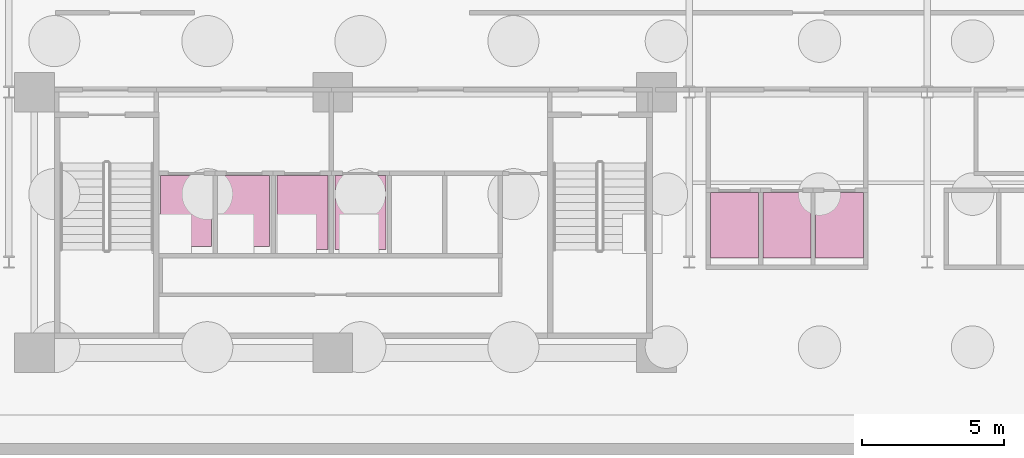
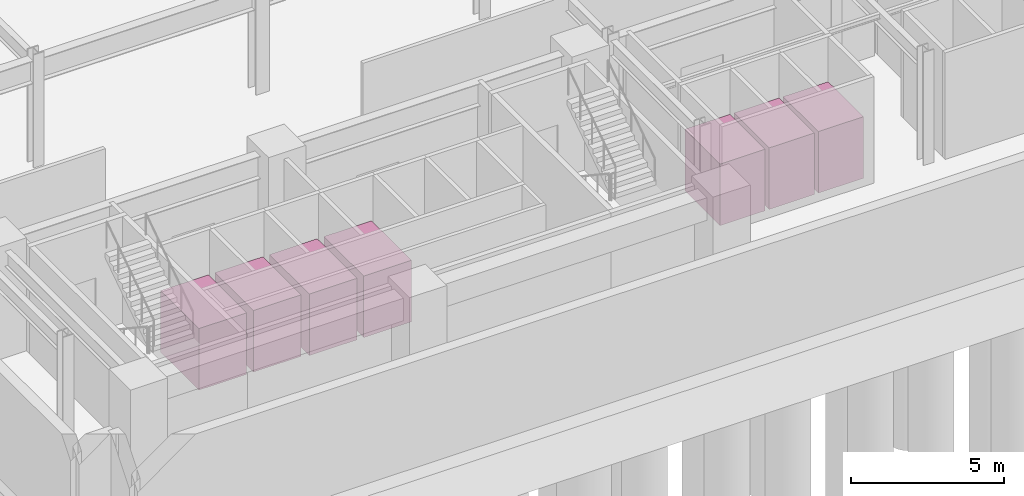
# One storey, part 14 of 14: 7 transport elements.
"""IFC4 building model written with IfcOpenShell, lengths in metres."""

from ifc_helpers import new_model, si_unit, direction, frame, origin, origin_2d, place, context, subcontext, project, spatial, rectangle, extrude, material, type_object, element, save


model = new_model("IFC4")

# Units and contexts
model_context = context("Model", 3, precision=1e-05, world=origin(), true_north=direction((0.0, 1.0)))
body_context = subcontext(model_context, "Body", "Model", "MODEL_VIEW")
ifc_project = project(units=[si_unit("LENGTHUNIT", "METRE"), si_unit("AREAUNIT", "SQUARE_METRE"), si_unit("VOLUMEUNIT", "CUBIC_METRE"), si_unit("PLANEANGLEUNIT", "RADIAN"), si_unit("MASSUNIT", "GRAM", prefix="KILO")], contexts=[model_context])

# Site, building, storey
site_placement = place(None, origin())
site = spatial("IfcSite", under=ifc_project, at=site_placement, CompositionType="ELEMENT")
building_placement = place(site_placement, origin())
building = spatial("IfcBuilding", under=site, at=building_placement, Name="Varnakote Quay Hospital", CompositionType="ELEMENT")
storey_placement = place(building_placement, frame((0.0, 0.0, -9.0)))
storey = spatial("IfcBuildingStorey", under=building, at=storey_placement, Name="B02", CompositionType="ELEMENT", Elevation=-9.0)

# Transport elements
ifc_material_1 = material(Name="Brushed stainless steel lift car", Category="steel")
transport_element_type_1 = type_object("IfcTransportElementType", Name="LFT-FF-1800x2500", PredefinedType="ELEVATOR", material=ifc_material_1)
for number, where, z_axis, x_axis, name in (
    (1, (7.449951171875, 7.800048828125, 0.0), (0.0, 0.0, 1.0), (1.0, 0.0, 0.0), "Firefighting Bank LF-FF1 Elevator Car"),
    (2, (9.5, 7.800048828125, 0.0), (0.0, 0.0, 1.0), (1.0, 0.0, 0.0), "Firefighting Bank LF-FF2 Elevator Car"),
):
    element("IfcTransportElement", number, at=place(storey_placement, frame(where, z_axis=z_axis, x_axis=x_axis)), inside=storey, type_object=transport_element_type_1, Name=name, PredefinedType="ELEVATOR", context=body_context, shape_type="SweptSolid", body=[
        extrude(rectangle(XDim=1.800048828125, YDim=2.5, at=origin_2d()), origin(), (0.0, 0.0, 1.0), 2.449951171875),
    ])
ifc_material_2 = material(Name="Brushed stainless steel lift car", Category="steel")
transport_element_type_2 = type_object("IfcTransportElementType", Name="LFT-PS-1700x2300", PredefinedType="ELEVATOR", material=ifc_material_2)
for number, where, z_axis, x_axis, name in (
    (3, (26.800048828125, 7.300048828125, 0.0), (0.0, 0.0, 1.0), (1.0, 0.0, 0.0), "Low-Rise Passenger Bank LF-PL1 Elevator Car"),
    (4, (28.64990234375, 7.300048828125, 0.0), (0.0, 0.0, 1.0), (1.0, 0.0, 0.0), "Low-Rise Passenger Bank LF-PL2 Elevator Car"),
    (5, (30.5, 7.300048828125, 0.0), (0.0, 0.0, 1.0), (1.0, 0.0, 0.0), "Low-Rise Passenger Bank LF-PL3 Elevator Car"),
):
    element("IfcTransportElement", number, at=place(storey_placement, frame(where, z_axis=z_axis, x_axis=x_axis)), inside=storey, type_object=transport_element_type_2, Name=name, PredefinedType="ELEVATOR", context=body_context, shape_type="SweptSolid", body=[
        extrude(rectangle(XDim=1.699951171875, YDim=2.300048828125, at=origin_2d()), origin(), (0.0, 0.0, 1.0), 2.449951171875),
    ])
ifc_material_3 = material(Name="Brushed stainless steel lift car", Category="steel")
transport_element_type_3 = type_object("IfcTransportElementType", Name="LFT-SV-1800x2600", PredefinedType="ELEVATOR", material=ifc_material_3)
for number, where, z_axis, x_axis, name in (
    (6, (11.550048828125, 7.75, 0.0), (0.0, 0.0, 1.0), (1.0, 0.0, 0.0), "Clinical Service Bank LF-SV1 Elevator Car"),
    (7, (13.60009765625, 7.75, 0.0), (0.0, 0.0, 1.0), (1.0, 0.0, 0.0), "Clinical Service Bank LF-SV2 Elevator Car"),
):
    element("IfcTransportElement", number, at=place(storey_placement, frame(where, z_axis=z_axis, x_axis=x_axis)), inside=storey, type_object=transport_element_type_3, Name=name, PredefinedType="ELEVATOR", context=body_context, shape_type="SweptSolid", body=[
        extrude(rectangle(XDim=1.800048828125, YDim=2.60009765625, at=origin_2d()), origin(), (0.0, 0.0, 1.0), 2.449951171875),
    ])

save(model, "model.ifc")
